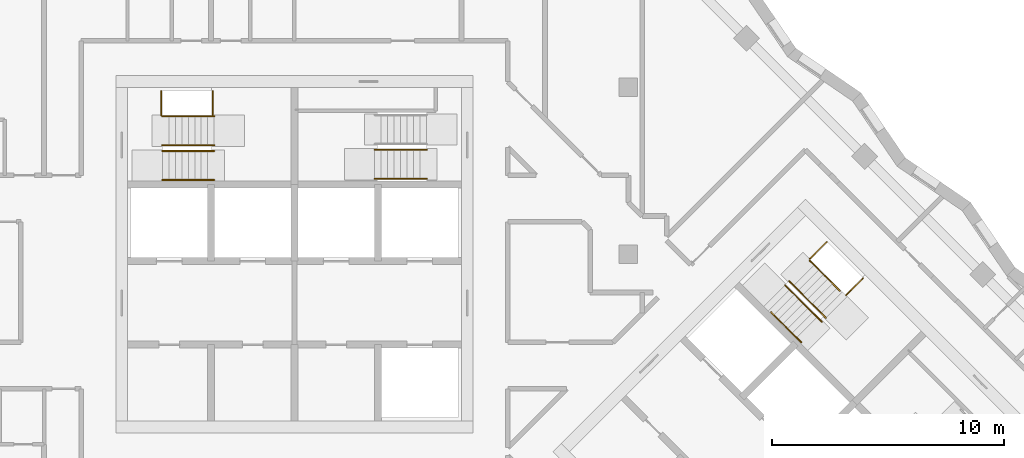
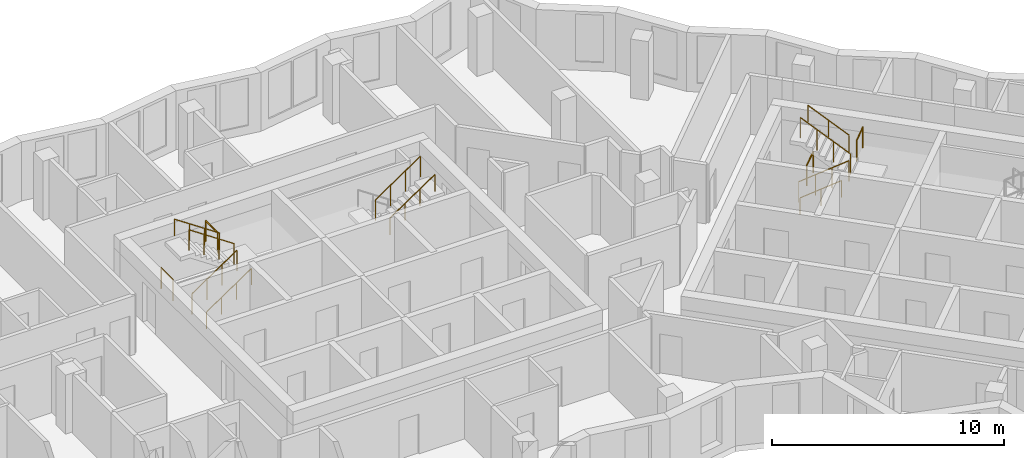
# One storey, part 10 of 12: 14 railings.
"""IFC4 building model written with IfcOpenShell, lengths in metres."""

from ifc_helpers import new_model, si_unit, direction, frame, origin, origin_2d, place, context, subcontext, project, spatial, circle, extrude, material, type_object, element, save


model = new_model("IFC4")

# Units and contexts
model_context = context("Model", 3, precision=1e-05, world=origin(), true_north=direction((0.0, 1.0)))
body_context = subcontext(model_context, "Body", "Model", "MODEL_VIEW")
ifc_project = project(units=[si_unit("LENGTHUNIT", "METRE"), si_unit("AREAUNIT", "SQUARE_METRE"), si_unit("VOLUMEUNIT", "CUBIC_METRE"), si_unit("PLANEANGLEUNIT", "RADIAN"), si_unit("MASSUNIT", "GRAM", prefix="KILO")], contexts=[model_context])

# Site, building, storey
site_placement = place(None, origin())
site = spatial("IfcSite", under=ifc_project, at=site_placement, CompositionType="ELEMENT")
building_placement = place(site_placement, origin())
building = spatial("IfcBuilding", under=site, at=building_placement, Name="Windrow Commons", CompositionType="ELEMENT")
storey_placement = place(building_placement, frame((0.0, 0.0, 227.0)))
storey = spatial("IfcBuildingStorey", under=building, at=storey_placement, Name="L62", CompositionType="ELEMENT", Elevation=227.0)

# Railings
ifc_material_1 = material(Name="Steel S355", Category="steel")
railing_type_1 = type_object("IfcRailingType", Name="Core stair guard 1100", PredefinedType="GUARDRAIL", material=ifc_material_1)
railing_1_placement = place(storey_placement, frame((59.1, 62.05, 0.1889)))
element("IfcRailing", 1, at=railing_1_placement, inside=storey, type_object=railing_type_1, Name="L62 ST-A1 stair guard 1", PredefinedType="GUARDRAIL", context=body_context, shape_type="SweptSolid", body=[
    extrude(circle(Radius=0.024, at=origin_2d()), frame((0.0, 0.0, 1.076), z_axis=(0.8290030985, 0.0, 0.5592440099), x_axis=(0.0, 1.0, 0.0)), (0.0, 0.0, 1.0), 2.702),
    extrude(circle(Radius=0.021, at=origin_2d()), origin(), (0.0, 0.0, 1.0), 1.052),
    extrude(circle(Radius=0.021, at=origin_2d()), frame((0.7467, 0.0, 0.5037)), (0.0, 0.0, 1.0), 1.052),
    extrude(circle(Radius=0.021, at=origin_2d()), frame((1.4933, 0.0, 1.0074)), (0.0, 0.0, 1.0), 1.052),
    extrude(circle(Radius=0.021, at=origin_2d()), frame((2.24, 0.0, 1.5111)), (0.0, 0.0, 1.0), 1.052),
])
railing_2_placement = place(storey_placement, frame((61.34, 62.3, 1.8889)))
element("IfcRailing", 2, at=railing_2_placement, inside=storey, type_object=railing_type_1, Name="L62 ST-A1 stair guard 2", PredefinedType="GUARDRAIL", context=body_context, shape_type="SweptSolid", body=[
    extrude(circle(Radius=0.024, at=origin_2d()), frame((0.0, 0.0, 1.076), z_axis=(-0.8290030985, 0.0, 0.5592440099), x_axis=(0.0, -1.0, 0.0)), (0.0, 0.0, 1.0), 2.702),
    extrude(circle(Radius=0.021, at=origin_2d()), origin(), (0.0, 0.0, 1.0), 1.052),
    extrude(circle(Radius=0.021, at=origin_2d()), frame((-0.7467, 0.0, 0.5037)), (0.0, 0.0, 1.0), 1.052),
    extrude(circle(Radius=0.021, at=origin_2d()), frame((-1.4933, 0.0, 1.0074)), (0.0, 0.0, 1.0), 1.052),
    extrude(circle(Radius=0.021, at=origin_2d()), frame((-2.24, 0.0, 1.5111)), (0.0, 0.0, 1.0), 1.052),
])
for number, where, name in (
    (3, (59.05, 63.6, 0.0), "L62 ST-A1 stair guard 3"),
    (4, (61.27, 63.6, 1.7), "L62 ST-A1 stair guard 4"),
):
    element("IfcRailing", number, at=place(storey_placement, frame(where)), inside=storey, type_object=railing_type_1, Name=name, PredefinedType="GUARDRAIL", context=body_context, shape_type="SweptSolid", body=[
        extrude(circle(Radius=0.024, at=origin_2d()), frame((0.0, 0.0, 1.076), z_axis=(0.0, 1.0, 0.0), x_axis=(-1.0, 0.0, 0.0)), (0.0, 0.0, 1.0), 1.03),
        extrude(circle(Radius=0.021, at=origin_2d()), origin(), (0.0, 0.0, 1.0), 1.052),
        extrude(circle(Radius=0.021, at=origin_2d()), frame((0.0, 1.03, 0.0)), (0.0, 0.0, 1.0), 1.052),
    ])
railing_3_placement = place(storey_placement, frame((68.26, 62.105, 1.8889)))
element("IfcRailing", 5, at=railing_3_placement, inside=storey, type_object=railing_type_1, Name="L62 ST-A2 stair guard 2", PredefinedType="GUARDRAIL", context=body_context, shape_type="SweptSolid", body=[
    extrude(circle(Radius=0.024, at=origin_2d()), frame((0.0, 0.0, 1.076), z_axis=(0.8290030985, 0.0, 0.5592440099), x_axis=(0.0, 1.0, 0.0)), (0.0, 0.0, 1.0), 2.702),
    extrude(circle(Radius=0.021, at=origin_2d()), origin(), (0.0, 0.0, 1.0), 1.052),
    extrude(circle(Radius=0.021, at=origin_2d()), frame((0.7467, 0.0, 0.5037)), (0.0, 0.0, 1.0), 1.052),
    extrude(circle(Radius=0.021, at=origin_2d()), frame((1.4933, 0.0, 1.0074)), (0.0, 0.0, 1.0), 1.052),
    extrude(circle(Radius=0.021, at=origin_2d()), frame((2.24, 0.0, 1.5111)), (0.0, 0.0, 1.0), 1.052),
])
railing_4_placement = place(storey_placement, frame((85.9529, 56.2669, 0.1889)))
element("IfcRailing", 6, at=railing_4_placement, inside=storey, type_object=railing_type_1, Name="L62 ST-B1 stair guard 1", PredefinedType="GUARDRAIL", context=body_context, shape_type="SweptSolid", body=[
    extrude(circle(Radius=0.024, at=origin_2d()), frame((0.0, 0.0, 1.076), z_axis=(0.5861914914, -0.5861914914, 0.5592486664), x_axis=(0.7071067812, 0.7071067812, 0.0)), (0.0, 0.0, 1.0), 2.702),
    extrude(circle(Radius=0.021, at=origin_2d()), origin(), (0.0, 0.0, 1.0), 1.052),
    extrude(circle(Radius=0.021, at=origin_2d()), frame((0.528, -0.528, 0.5037)), (0.0, 0.0, 1.0), 1.052),
    extrude(circle(Radius=0.021, at=origin_2d()), frame((1.0559, -1.0559, 1.0074)), (0.0, 0.0, 1.0), 1.052),
    extrude(circle(Radius=0.021, at=origin_2d()), frame((1.5839, -1.5839, 1.5111)), (0.0, 0.0, 1.0), 1.052),
])
railing_5_placement = place(storey_placement, frame((87.7136, 54.8597, 1.8889)))
element("IfcRailing", 7, at=railing_5_placement, inside=storey, type_object=railing_type_1, Name="L62 ST-B1 stair guard 2", PredefinedType="GUARDRAIL", context=body_context, shape_type="SweptSolid", body=[
    extrude(circle(Radius=0.024, at=origin_2d()), frame((0.0, 0.0, 1.076), z_axis=(-0.5862030657, 0.5862030657, 0.5592244018), x_axis=(-0.7071067812, -0.7071067812, 0.0)), (0.0, 0.0, 1.0), 2.7021),
    extrude(circle(Radius=0.021, at=origin_2d()), origin(), (0.0, 0.0, 1.0), 1.052),
    extrude(circle(Radius=0.021, at=origin_2d()), frame((-0.528, 0.528, 0.5037)), (0.0, 0.0, 1.0), 1.052),
    extrude(circle(Radius=0.021, at=origin_2d()), frame((-1.056, 1.056, 1.0074)), (0.0, 0.0, 1.0), 1.052),
    extrude(circle(Radius=0.021, at=origin_2d()), frame((-1.584, 1.584, 1.5111)), (0.0, 0.0, 1.0), 1.052),
])
railing_6_placement = place(storey_placement, frame((87.0135, 57.3982, 0.0)))
element("IfcRailing", 8, at=railing_6_placement, inside=storey, type_object=railing_type_1, Name="L62 ST-B1 stair guard 3", PredefinedType="GUARDRAIL", context=body_context, shape_type="SweptSolid", body=[
    extrude(circle(Radius=0.024, at=origin_2d()), frame((0.0, 0.0, 1.076), z_axis=(0.7070582378, 0.7071553212, 0.0), x_axis=(-0.7071553212, 0.7070582378, 0.0)), (0.0, 0.0, 1.0), 1.03),
    extrude(circle(Radius=0.021, at=origin_2d()), origin(), (0.0, 0.0, 1.0), 1.052),
    extrude(circle(Radius=0.021, at=origin_2d()), frame((0.7283, 0.7284, 0.0)), (0.0, 0.0, 1.0), 1.052),
])
railing_7_placement = place(storey_placement, frame((88.5833, 55.8285, 1.7)))
element("IfcRailing", 9, at=railing_7_placement, inside=storey, type_object=railing_type_1, Name="L62 ST-B1 stair guard 4", PredefinedType="GUARDRAIL", context=body_context, shape_type="SweptSolid", body=[
    extrude(circle(Radius=0.024, at=origin_2d()), frame((0.0, 0.0, 1.076), z_axis=(0.7071067812, 0.7071067812, 0.0), x_axis=(-0.7071067812, 0.7071067812, 0.0)), (0.0, 0.0, 1.0), 1.03),
    extrude(circle(Radius=0.021, at=origin_2d()), origin(), (0.0, 0.0, 1.0), 1.052),
    extrude(circle(Radius=0.021, at=origin_2d()), frame((0.7283, 0.7283, 0.0)), (0.0, 0.0, 1.0), 1.052),
])
ifc_material_2 = material(Name="Steel S355", Category="steel")
railing_type_2 = type_object("IfcRailingType", Name="Core stair handrail 900", PredefinedType="HANDRAIL", material=ifc_material_2)
railing_8_placement = place(storey_placement, frame((59.1, 60.8, 0.1889)))
element("IfcRailing", 10, at=railing_8_placement, inside=storey, type_object=railing_type_2, Name="L62 ST-A1 stair handrail 1", PredefinedType="HANDRAIL", context=body_context, shape_type="SweptSolid", body=[
    extrude(circle(Radius=0.024, at=origin_2d()), frame((0.0, 0.0, 0.876), z_axis=(0.8290030985, 0.0, 0.5592440099), x_axis=(0.0, 1.0, 0.0)), (0.0, 0.0, 1.0), 2.702),
    extrude(circle(Radius=0.021, at=origin_2d()), origin(), (0.0, 0.0, 1.0), 0.852),
    extrude(circle(Radius=0.021, at=origin_2d()), frame((0.7467, 0.0, 0.5037)), (0.0, 0.0, 1.0), 0.852),
    extrude(circle(Radius=0.021, at=origin_2d()), frame((1.4933, 0.0, 1.0074)), (0.0, 0.0, 1.0), 0.852),
    extrude(circle(Radius=0.021, at=origin_2d()), frame((2.24, 0.0, 1.5111)), (0.0, 0.0, 1.0), 0.852),
])
railing_9_placement = place(storey_placement, frame((61.34, 63.55, 1.8889)))
element("IfcRailing", 11, at=railing_9_placement, inside=storey, type_object=railing_type_2, Name="L62 ST-A1 stair handrail 2", PredefinedType="HANDRAIL", context=body_context, shape_type="SweptSolid", body=[
    extrude(circle(Radius=0.024, at=origin_2d()), frame((0.0, 0.0, 0.876), z_axis=(-0.8290030985, 0.0, 0.5592440099), x_axis=(0.0, -1.0, 0.0)), (0.0, 0.0, 1.0), 2.702),
    extrude(circle(Radius=0.021, at=origin_2d()), origin(), (0.0, 0.0, 1.0), 0.852),
    extrude(circle(Radius=0.021, at=origin_2d()), frame((-0.7467, 0.0, 0.5037)), (0.0, 0.0, 1.0), 0.852),
    extrude(circle(Radius=0.021, at=origin_2d()), frame((-1.4933, 0.0, 1.0074)), (0.0, 0.0, 1.0), 0.852),
    extrude(circle(Radius=0.021, at=origin_2d()), frame((-2.24, 0.0, 1.5111)), (0.0, 0.0, 1.0), 0.852),
])
railing_10_placement = place(storey_placement, frame((68.26, 60.855, 1.8889)))
element("IfcRailing", 12, at=railing_10_placement, inside=storey, type_object=railing_type_2, Name="L62 ST-A2 stair handrail 2", PredefinedType="HANDRAIL", context=body_context, shape_type="SweptSolid", body=[
    extrude(circle(Radius=0.024, at=origin_2d()), frame((0.0, 0.0, 0.876), z_axis=(0.8290030985, 0.0, 0.5592440099), x_axis=(0.0, 1.0, 0.0)), (0.0, 0.0, 1.0), 2.702),
    extrude(circle(Radius=0.021, at=origin_2d()), origin(), (0.0, 0.0, 1.0), 0.852),
    extrude(circle(Radius=0.021, at=origin_2d()), frame((0.7467, 0.0, 0.5037)), (0.0, 0.0, 1.0), 0.852),
    extrude(circle(Radius=0.021, at=origin_2d()), frame((1.4933, 0.0, 1.0074)), (0.0, 0.0, 1.0), 0.852),
    extrude(circle(Radius=0.021, at=origin_2d()), frame((2.24, 0.0, 1.5111)), (0.0, 0.0, 1.0), 0.852),
])
railing_11_placement = place(storey_placement, frame((85.3518, 55.1001, 0.4587)))
element("IfcRailing", 13, at=railing_11_placement, inside=storey, type_object=railing_type_2, Name="L62 ST-B1 stair handrail 1", PredefinedType="HANDRAIL", context=body_context, shape_type="SweptSolid", body=[
    extrude(circle(Radius=0.024, at=origin_2d()), frame((0.0, 0.0, 0.876), z_axis=(0.586206706, -0.5861616513, 0.5592639952), x_axis=(0.7070796062, 0.7071339551, 0.0)), (0.0, 0.0, 1.0), 2.2195),
    extrude(circle(Radius=0.021, at=origin_2d()), origin(), (0.0, 0.0, 1.0), 0.852),
    extrude(circle(Radius=0.021, at=origin_2d()), frame((0.6506, -0.6505, 0.6206)), (0.0, 0.0, 1.0), 0.852),
    extrude(circle(Radius=0.021, at=origin_2d()), frame((1.3011, -1.301, 1.2413)), (0.0, 0.0, 1.0), 0.852),
])
railing_12_placement = place(storey_placement, frame((88.3146, 56.0265, 2.1587)))
element("IfcRailing", 14, at=railing_12_placement, inside=storey, type_object=railing_type_2, Name="L62 ST-B1 stair handrail 2", PredefinedType="HANDRAIL", context=body_context, shape_type="SweptSolid", body=[
    extrude(circle(Radius=0.024, at=origin_2d()), frame((0.0, 0.0, 0.876), z_axis=(-0.586206706, 0.5861616513, 0.5592639952), x_axis=(-0.7070796062, -0.7071339551, 0.0)), (0.0, 0.0, 1.0), 2.2195),
    extrude(circle(Radius=0.021, at=origin_2d()), origin(), (0.0, 0.0, 1.0), 0.852),
    extrude(circle(Radius=0.021, at=origin_2d()), frame((-0.6506, 0.6505, 0.6206)), (0.0, 0.0, 1.0), 0.852),
    extrude(circle(Radius=0.021, at=origin_2d()), frame((-1.3011, 1.301, 1.2413)), (0.0, 0.0, 1.0), 0.852),
])

save(model, "model.ifc")
